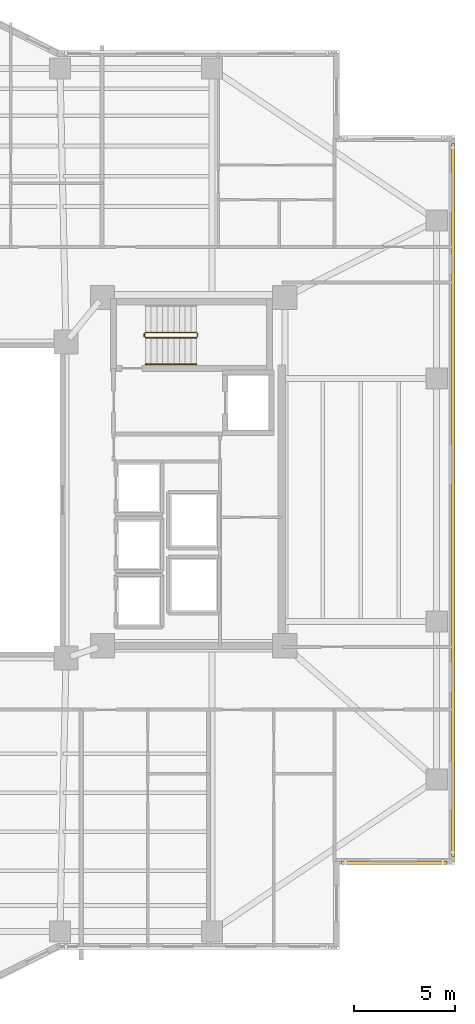
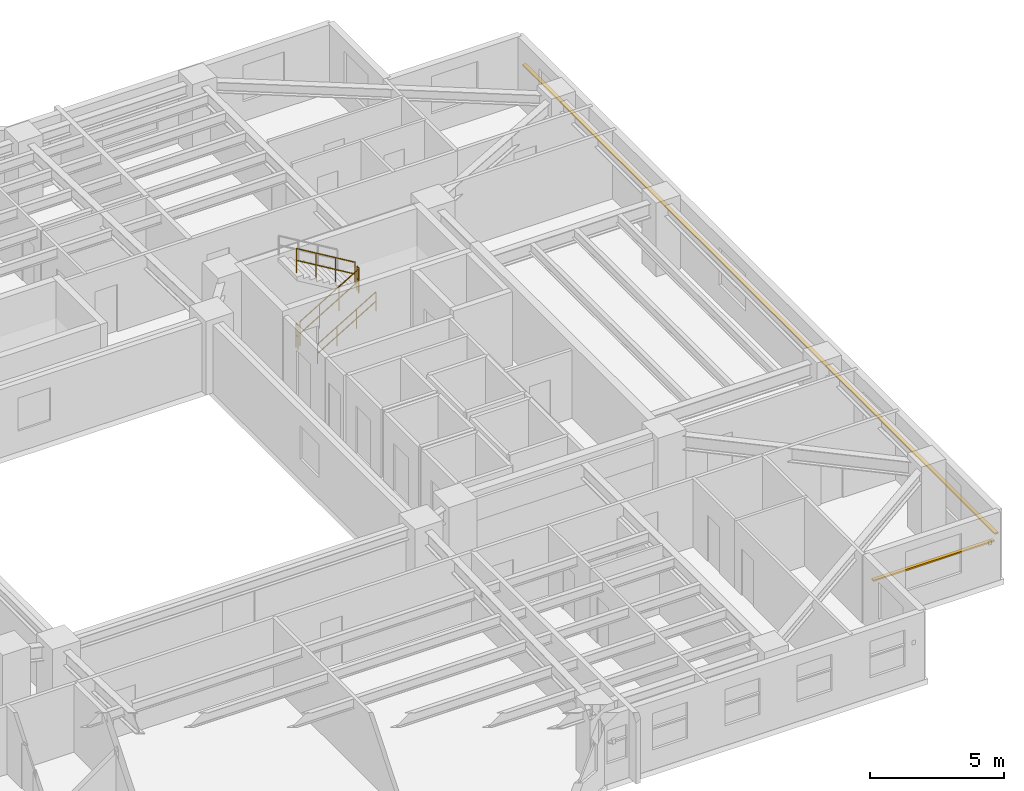
# One storey, part 16 of 18: 5 railings, 2 shading devices.
"""IFC4 building model written with IfcOpenShell, lengths in metres."""

from ifc_helpers import new_model, si_unit, direction, frame, origin, origin_2d, place, context, subcontext, project, spatial, rectangle, circle, extrude, material, material_profile, profile_set, type_object, element, save


model = new_model("IFC4")

# Units and contexts
model_context = context("Model", 3, precision=1e-05, world=origin(), true_north=direction((0.0, 1.0)))
body_context = subcontext(model_context, "Body", "Model", "MODEL_VIEW")
ifc_project = project(units=[si_unit("LENGTHUNIT", "METRE"), si_unit("AREAUNIT", "SQUARE_METRE"), si_unit("VOLUMEUNIT", "CUBIC_METRE"), si_unit("PLANEANGLEUNIT", "RADIAN"), si_unit("MASSUNIT", "GRAM", prefix="KILO")], contexts=[model_context])

# Site, building, storey
site_placement = place(None, origin())
site = spatial("IfcSite", under=ifc_project, at=site_placement, CompositionType="ELEMENT")
building_placement = place(site_placement, origin())
building = spatial("IfcBuilding", under=site, at=building_placement, Name="Tarnavaz Court Tower", CompositionType="ELEMENT")
storey_placement = place(building_placement, frame((0.0, 0.0, 98.39990234375)))
storey = spatial("IfcBuildingStorey", under=building, at=storey_placement, Name="L26", CompositionType="ELEMENT", Elevation=98.39990234375)

# Railings
ifc_material_1 = material(Name="Brushed Stainless Steel", Category="steel")
railing_type_1 = type_object("IfcRailingType", Name="RL-HANDRAIL-900", PredefinedType="HANDRAIL", material=ifc_material_1)
railing_1_placement = place(storey_placement, frame((11.719970703125, 6.699951171875, 0.16748046875)))
element("IfcRailing", 1, at=railing_1_placement, inside=storey, type_object=railing_type_1, Name="L26 ST-E1 stair handrail 1", PredefinedType="HANDRAIL", context=body_context, shape_type="SweptSolid", body=[
    extrude(circle(Radius=0.02392578125, at=origin_2d()), frame((0.0, 0.0, 0.8759765625), z_axis=(0.858159760407, 0.0, 0.513382728203), x_axis=(0.0, 1.0, 0.0)), (0.0, 0.0, 1.0), 2.9365234375),
    extrude(circle(Radius=0.02392578125, at=origin_2d()), frame((0.0, 0.0, 0.449951171875), z_axis=(0.858159760407, 0.0, 0.513382728203), x_axis=(0.0, 1.0, 0.0)), (0.0, 0.0, 1.0), 2.9365234375),
    extrude(circle(Radius=0.02099609375, at=origin_2d()), origin(), (0.0, 0.0, 1.0), 0.851806640625),
    extrude(circle(Radius=0.02099609375, at=origin_2d()), frame((0.840087890625, 0.0, 0.50244140625)), (0.0, 0.0, 1.0), 0.851806640625),
    extrude(circle(Radius=0.02099609375, at=origin_2d()), frame((1.679931640625, 0.0, 1.005126953125)), (0.0, 0.0, 1.0), 0.851806640625),
    extrude(circle(Radius=0.02099609375, at=origin_2d()), frame((2.52001953125, 0.0, 1.507568359375)), (0.0, 0.0, 1.0), 0.851806640625),
])
ifc_material_2 = material(Name="Galvanized Painted Tubular Steel", Category="steel")
railing_type_2 = type_object("IfcRailingType", Name="RL-STGUARD-1120", PredefinedType="GUARDRAIL", material=ifc_material_2)
railing_2_placement = place(storey_placement, frame((11.719970703125, 8.02001953125, 0.16748046875)))
element("IfcRailing", 2, at=railing_2_placement, inside=storey, type_object=railing_type_2, Name="L26 ST-E1 stair guard 1", PredefinedType="GUARDRAIL", context=body_context, shape_type="SweptSolid", body=[
    extrude(circle(Radius=0.02392578125, at=origin_2d()), frame((0.0, 0.0, 1.09619140625), z_axis=(0.858159760407, 0.0, 0.513382728203), x_axis=(0.0, 1.0, 0.0)), (0.0, 0.0, 1.0), 2.9365234375),
    extrude(circle(Radius=0.02392578125, at=origin_2d()), frame((0.0, 0.0, 0.56005859375), z_axis=(0.858159760407, 0.0, 0.513382728203), x_axis=(0.0, 1.0, 0.0)), (0.0, 0.0, 1.0), 2.9365234375),
    extrude(circle(Radius=0.02099609375, at=origin_2d()), origin(), (0.0, 0.0, 1.0), 1.072021484375),
    extrude(circle(Radius=0.02099609375, at=origin_2d()), frame((0.840087890625, 0.0, 0.50244140625)), (0.0, 0.0, 1.0), 1.072021484375),
    extrude(circle(Radius=0.02099609375, at=origin_2d()), frame((1.679931640625, 0.0, 1.005126953125)), (0.0, 0.0, 1.0), 1.072021484375),
    extrude(circle(Radius=0.02099609375, at=origin_2d()), frame((2.52001953125, 0.0, 1.507568359375)), (0.0, 0.0, 1.0), 1.072021484375),
])
railing_3_placement = place(storey_placement, frame((14.2900390625, 8.070068359375, 1.675048828125)))
element("IfcRailing", 3, at=railing_3_placement, inside=storey, type_object=railing_type_2, Name="L26 ST-E1 stair guard 2", PredefinedType="GUARDRAIL", context=body_context, shape_type="SweptSolid", body=[
    extrude(circle(Radius=0.02392578125, at=origin_2d()), frame((0.0, 0.0, 1.09619140625), z_axis=(0.0, 1.0, 0.0), x_axis=(-1.0, 0.0, 0.0)), (0.0, 0.0, 1.0), 0.14990234375),
    extrude(circle(Radius=0.02392578125, at=origin_2d()), frame((0.0, 0.0, 0.56005859375), z_axis=(0.0, 1.0, 0.0), x_axis=(-1.0, 0.0, 0.0)), (0.0, 0.0, 1.0), 0.14990234375),
    extrude(circle(Radius=0.02099609375, at=origin_2d()), origin(), (0.0, 0.0, 1.0), 1.072021484375),
    extrude(circle(Radius=0.02099609375, at=origin_2d()), frame((0.0, 0.14990234375, 0.0)), (0.0, 0.0, 1.0), 1.072021484375),
])
railing_4_placement = place(storey_placement, frame((14.239990234375, 8.27001953125, 1.842529296875)))
element("IfcRailing", 4, at=railing_4_placement, inside=storey, type_object=railing_type_2, Name="L26 ST-E1 stair guard 3", PredefinedType="GUARDRAIL", context=body_context, shape_type="SweptSolid", body=[
    extrude(circle(Radius=0.02392578125, at=origin_2d()), frame((0.0, 0.0, 1.09619140625), z_axis=(-0.858159760407, 0.0, 0.513382728203), x_axis=(0.0, -1.0, 0.0)), (0.0, 0.0, 1.0), 2.9365234375),
    extrude(circle(Radius=0.02392578125, at=origin_2d()), frame((0.0, 0.0, 0.56005859375), z_axis=(-0.858159760407, 0.0, 0.513382728203), x_axis=(0.0, -1.0, 0.0)), (0.0, 0.0, 1.0), 2.9365234375),
    extrude(circle(Radius=0.02099609375, at=origin_2d()), origin(), (0.0, 0.0, 1.0), 1.072021484375),
    extrude(circle(Radius=0.02099609375, at=origin_2d()), frame((-0.840087890625, 0.0, 0.50244140625)), (0.0, 0.0, 1.0), 1.072021484375),
    extrude(circle(Radius=0.02099609375, at=origin_2d()), frame((-1.679931640625, 0.0, 1.005126953125)), (0.0, 0.0, 1.0), 1.072021484375),
    extrude(circle(Radius=0.02099609375, at=origin_2d()), frame((-2.52001953125, 0.0, 1.507568359375)), (0.0, 0.0, 1.0), 1.072021484375),
])
railing_5_placement = place(storey_placement, frame((11.669921875, 8.070068359375, 0.0)))
element("IfcRailing", 5, at=railing_5_placement, inside=storey, type_object=railing_type_2, Name="L26 ST-E1 stair guard 4", PredefinedType="GUARDRAIL", context=body_context, shape_type="SweptSolid", body=[
    extrude(circle(Radius=0.02392578125, at=origin_2d()), frame((0.0, 0.0, 1.09619140625), z_axis=(0.0, 1.0, 0.0), x_axis=(-1.0, 0.0, 0.0)), (0.0, 0.0, 1.0), 0.14990234375),
    extrude(circle(Radius=0.02392578125, at=origin_2d()), frame((0.0, 0.0, 0.56005859375), z_axis=(0.0, 1.0, 0.0), x_axis=(-1.0, 0.0, 0.0)), (0.0, 0.0, 1.0), 0.14990234375),
    extrude(circle(Radius=0.02099609375, at=origin_2d()), origin(), (0.0, 0.0, 1.0), 1.072021484375),
    extrude(circle(Radius=0.02099609375, at=origin_2d()), frame((0.0, 0.14990234375, 0.0)), (0.0, 0.0, 1.0), 1.072021484375),
])

# Shading devices
ifc_material_3 = material(Name="Kiln-Fired Khorasan Terracotta Ceramic", Category="masonry")
ifc_material_profile = material_profile(ifc_material_3, rectangle(XDim=0.14990234375, YDim=0.06494140625, at=origin_2d()), Name="TC BAGUETTE 150X65")
ifc_profile_set = profile_set([ifc_material_profile], Name="Kiln-Fired Khorasan Terracotta Ceramic")
shading_device_type = type_object("IfcShadingDeviceType", Name="SD-BAG-150", PredefinedType="USERDEFINED", material=ifc_profile_set)
shading_device_1_placement = place(storey_placement, frame((26.909912109375, 17.60009765625, 1.85009765625), z_axis=(0.0, -1.0, 0.0), x_axis=(1.0, 0.0, 0.0)))
element("IfcShadingDevice", 6, at=shading_device_1_placement, inside=storey, type_object=shading_device_type, Name="L26 Terracotta Baguette Screen FBG12", ObjectType="BAGUETTE", PredefinedType="USERDEFINED", context=body_context, shape_type="SweptSolid", body=[
    extrude(rectangle(XDim=0.14990234375, YDim=0.06494140625, at=origin_2d()), origin(), (0.0, 0.0, 1.0), 35.2001953125),
])
shading_device_2_placement = place(storey_placement, frame((26.60009765625, -17.909912109375, 1.85009765625), z_axis=(-1.0, 0.0, 0.0), x_axis=(0.0, -1.0, 0.0)))
element("IfcShadingDevice", 7, at=shading_device_2_placement, inside=storey, type_object=shading_device_type, Name="L26 Terracotta Baguette Screen FBG13", ObjectType="BAGUETTE", PredefinedType="USERDEFINED", context=body_context, shape_type="SweptSolid", body=[
    extrude(rectangle(XDim=0.14990234375, YDim=0.06494140625, at=origin_2d()), origin(), (0.0, 0.0, 1.0), 5.2001953125),
])

save(model, "model.ifc")
